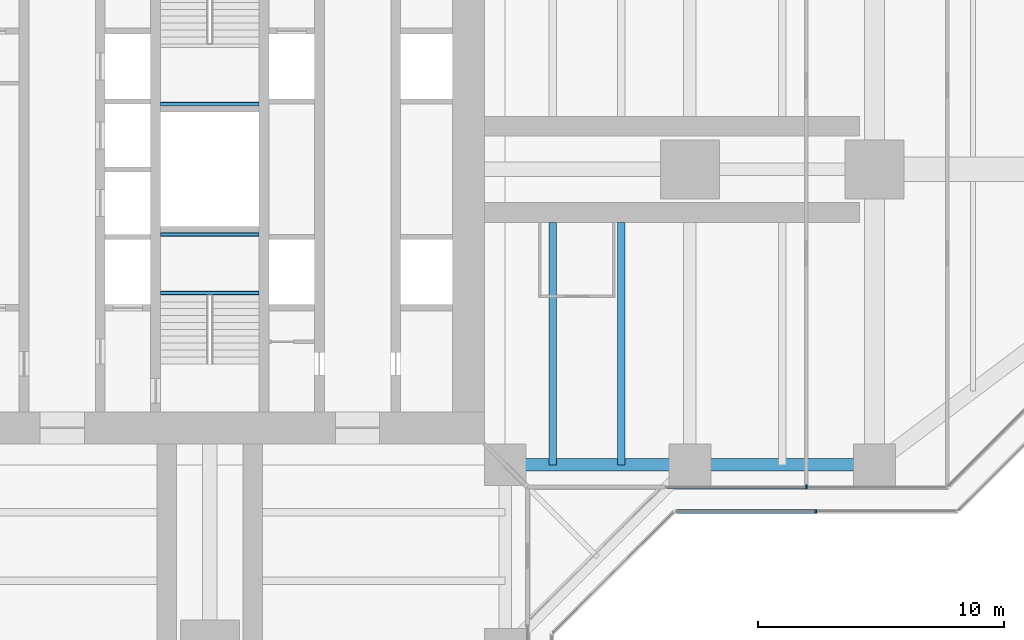
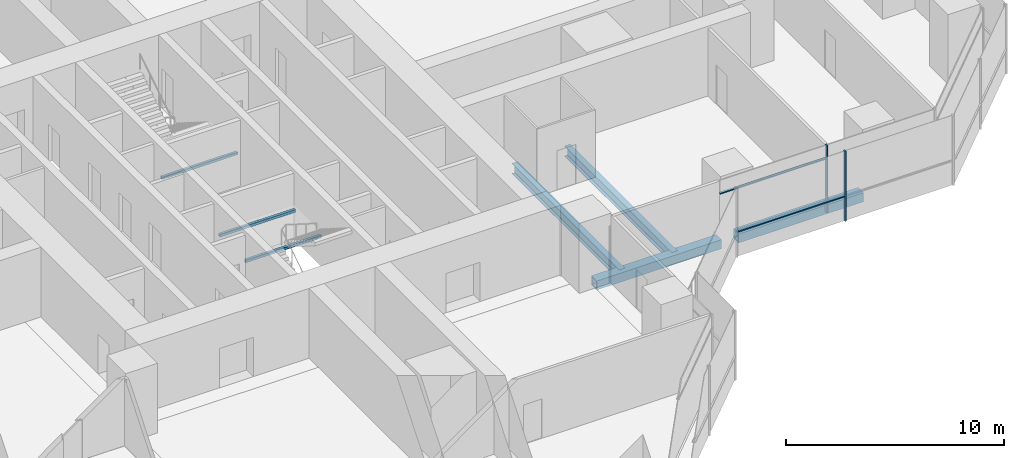
# One storey, part 5 of 20: 7 beams, 4 members, 2 elements without a shape of their own.
"""IFC4 building model written with IfcOpenShell, lengths in metres."""

from ifc_helpers import new_model, si_unit, direction, frame, origin, origin_2d, place, context, subcontext, project, spatial, rectangle, hollow_rectangle, i_section, extrude, material, material_profile, profile_set, type_object, element, aggregate, save


model = new_model("IFC4")

# Units and contexts
model_context = context("Model", 3, precision=1e-05, world=origin(), true_north=direction((0.0, 1.0)))
body_context = subcontext(model_context, "Body", "Model", "MODEL_VIEW")
ifc_project = project(units=[si_unit("LENGTHUNIT", "METRE"), si_unit("AREAUNIT", "SQUARE_METRE"), si_unit("VOLUMEUNIT", "CUBIC_METRE"), si_unit("PLANEANGLEUNIT", "RADIAN"), si_unit("MASSUNIT", "GRAM", prefix="KILO")], contexts=[model_context])

# Site, building, storey
site_placement = place(None, origin())
site = spatial("IfcSite", under=ifc_project, at=site_placement, CompositionType="ELEMENT")
building_placement = place(site_placement, origin())
building = spatial("IfcBuilding", under=site, at=building_placement, Name="Mizan Broadcast Tower", CompositionType="ELEMENT")
storey_placement = place(building_placement, frame((0.0, 0.0, 174.89990234375)))
storey = spatial("IfcBuildingStorey", under=building, at=storey_placement, Name="L40", CompositionType="ELEMENT", Elevation=174.89990234375)

# Beams
ifc_material_1 = material(Name="Steel S355", Category="steel")
ifc_material_profile_1 = material_profile(ifc_material_1, hollow_rectangle(XDim=0.5, YDim=0.5, WallThickness=0.030029296875, at=origin_2d()), Name="BOX 500x500x30")
ifc_profile_set_1 = profile_set([ifc_material_profile_1], Name="Steel S355")
beam_type_1 = type_object("IfcBeamType", Name="EDGE BEAM BOX 500x500x30", PredefinedType="SPANDREL", material=ifc_profile_set_1)
for number, where, z_axis, x_axis, name in (
    (1, (12.449951171875, -12.0, -0.3798828125), (1.0, 0.0, 0.0), (0.0, 1.0, 0.0), "Edge beam BOX 500x500x30 L40 east arm"),
    (2, (19.949951171875, -12.0, -0.3798828125), (1.0, 0.0, 0.0), (0.0, 1.0, 0.0), "Edge beam BOX 500x500x30 L40 east arm"),
):
    element("IfcBeam", number, at=place(storey_placement, frame(where, z_axis=z_axis, x_axis=x_axis)), inside=storey, type_object=beam_type_1, Name=name, PredefinedType="SPANDREL", context=body_context, shape_type="SweptSolid", body=[
        extrude(hollow_rectangle(XDim=0.5, YDim=0.5, WallThickness=0.030029296875, at=origin_2d()), origin(), (0.0, 0.0, 1.0), 6.60009765625),
    ])

# Curtain wall, members
ifc_material_2 = material(Name="Aluminium framed glazing", Category="aluminium")
curtain_wall_type_1 = type_object("IfcCurtainWallType", Name="INNER SKIN MID ZONE", PredefinedType="USERDEFINED", material=ifc_material_2)
curtain_wall_1_placement = place(storey_placement, origin())
curtain_wall_1 = element("IfcCurtainWall", 3, at=curtain_wall_1_placement, inside=storey, type_object=curtain_wall_type_1, Name="Inner skin mid zone L40 E side", ObjectType="INNER SKIN MID ZONE", PredefinedType="USERDEFINED")
ifc_material_3 = material(Name="Aluminium, pale anodised", Category="aluminium")
ifc_material_profile_2 = material_profile(ifc_material_3, rectangle(XDim=0.159912109375, YDim=0.06005859375, at=origin_2d()), Name="MULLION 160x60")
ifc_profile_set_2 = profile_set([ifc_material_profile_2], Name="Aluminium, pale anodised")
member_type_1 = type_object("IfcMemberType", Name="INNER SKIN MULLION 60x160", PredefinedType="MULLION", material=ifc_profile_set_2)
member_1_placement = place(storey_placement, frame((24.229248046875, -12.89990234375, 0.0), z_axis=(0.0, 0.0, 1.0), x_axis=(0.0, 1.0, 0.0)))
member_1 = element("IfcMember", 4, at=member_1_placement, type_object=member_type_1, Name="Inner skin mid zone L40 E side mullion 2", PredefinedType="MULLION", context=body_context, shape_type="SweptSolid", body=[
    extrude(rectangle(XDim=0.159912109375, YDim=0.06005859375, at=origin_2d()), origin(), (0.0, 0.0, 1.0), 3.77001953125),
])
ifc_material_4 = material(Name="Aluminium, pale anodised", Category="aluminium")
ifc_material_profile_3 = material_profile(ifc_material_4, rectangle(XDim=0.1201171875, YDim=0.06005859375, at=origin_2d()), Name="TRANSOM 120x60")
ifc_profile_set_3 = profile_set([ifc_material_profile_3], Name="Aluminium, pale anodised")
member_type_2 = type_object("IfcMemberType", Name="INNER SKIN TRANSOM 60x120", PredefinedType="USERDEFINED", material=ifc_profile_set_3)
member_2_placement = place(storey_placement, frame((18.56005859375, -12.89990234375, 3.030029296875), z_axis=(1.0, 0.0, 0.0), x_axis=(0.0, 1.0, 0.0)))
member_2 = element("IfcMember", 5, at=member_2_placement, type_object=member_type_2, Name="Inner skin mid zone L40 E side transom 1.1", ObjectType="TRANSOM", PredefinedType="USERDEFINED", context=body_context, shape_type="SweptSolid", body=[
    extrude(rectangle(XDim=0.1201171875, YDim=0.06005859375, at=origin_2d()), origin(), (0.0, 0.0, 1.0), 5.63916015625),
])
aggregate(curtain_wall_1, [member_1, member_2])

# Beams
ifc_material_5 = material(Name="Steel S355", Category="steel")
ifc_material_profile_4 = material_profile(ifc_material_5, hollow_rectangle(XDim=0.14990234375, YDim=0.14990234375, WallThickness=0.008056640625, InnerFilletRadius=0.008056640625, OuterFilletRadius=0.011962890625, at=origin_2d()), Name="SHS 150x150x8")
ifc_profile_set_4 = profile_set([ifc_material_profile_4], Name="Steel S355")
beam_type_2 = type_object("IfcBeamType", Name="LANDING TRIMMER SHS 150x150x8", PredefinedType="BEAM", material=ifc_profile_set_4)
for number, where, z_axis, x_axis, name in (
    (6, (-2.0, -5.02490234375, 1.675048828125), (1.0, 0.0, 0.0), (0.0, 1.0, 0.0), "Stair A landing trimmer L40"),
    (7, (-2.0, -2.64990234375, 1.675048828125), (1.0, 0.0, 0.0), (0.0, 1.0, 0.0), "Stair A landing trimmer L40"),
    (8, (2.0, 2.64990234375, 1.675048828125), (-1.0, 0.0, 0.0), (0.0, -1.0, 0.0), "Stair B landing trimmer L40"),
):
    element("IfcBeam", number, at=place(storey_placement, frame(where, z_axis=z_axis, x_axis=x_axis)), inside=storey, type_object=beam_type_2, Name=name, PredefinedType="BEAM", context=body_context, shape_type="SweptSolid", body=[
        extrude(hollow_rectangle(XDim=0.14990234375, YDim=0.14990234375, WallThickness=0.008056640625, InnerFilletRadius=0.008056640625, OuterFilletRadius=0.011962890625, at=origin_2d()), origin(), (0.0, 0.0, 1.0), 4.0),
    ])

# Curtain wall, members
ifc_material_6 = material(Name="Aluminium framed glazing", Category="aluminium")
curtain_wall_type_2 = type_object("IfcCurtainWallType", Name="OUTER SKIN", PredefinedType="USERDEFINED", material=ifc_material_6)
curtain_wall_2_placement = place(storey_placement, origin())
curtain_wall_2 = element("IfcCurtainWall", 9, at=curtain_wall_2_placement, inside=storey, type_object=curtain_wall_type_2, Name="Outer skin L40 E side", ObjectType="OUTER SKIN", PredefinedType="USERDEFINED")
ifc_material_7 = material(Name="Aluminium, pale anodised", Category="aluminium")
ifc_material_profile_5 = material_profile(ifc_material_7, rectangle(XDim=0.159912109375, YDim=0.080078125, at=origin_2d()), Name="MULLION 160x80")
ifc_profile_set_5 = profile_set([ifc_material_profile_5], Name="Aluminium, pale anodised")
member_type_3 = type_object("IfcMemberType", Name="OUTER SKIN MULLION 80x160", PredefinedType="MULLION", material=ifc_profile_set_5)
member_3_placement = place(storey_placement, frame((24.622802734375, -13.89990234375, 0.0), z_axis=(0.0, 0.0, 1.0), x_axis=(0.0, 1.0, 0.0)))
member_3 = element("IfcMember", 10, at=member_3_placement, type_object=member_type_3, Name="Outer skin L40 E side mullion 2", PredefinedType="MULLION", context=body_context, shape_type="SweptSolid", body=[
    extrude(rectangle(XDim=0.159912109375, YDim=0.080078125, at=origin_2d()), origin(), (0.0, 0.0, 1.0), 3.900146484375),
])
ifc_material_8 = material(Name="Aluminium, pale anodised", Category="aluminium")
ifc_material_profile_6 = material_profile(ifc_material_8, rectangle(XDim=0.159912109375, YDim=0.06005859375, at=origin_2d()), Name="TRANSOM 160x60")
ifc_profile_set_6 = profile_set([ifc_material_profile_6], Name="Aluminium, pale anodised")
member_type_4 = type_object("IfcMemberType", Name="OUTER SKIN TRANSOM 60x160", PredefinedType="USERDEFINED", material=ifc_profile_set_6)
member_4_placement = place(storey_placement, frame((18.952880859375, -13.89990234375, 1.400146484375), z_axis=(1.0, 0.0, 0.0), x_axis=(0.0, 1.0, 0.0)))
member_4 = element("IfcMember", 11, at=member_4_placement, type_object=member_type_4, Name="Outer skin L40 E side transom 1.1", ObjectType="TRANSOM", PredefinedType="USERDEFINED", context=body_context, shape_type="SweptSolid", body=[
    extrude(rectangle(XDim=0.159912109375, YDim=0.06005859375, at=origin_2d()), origin(), (0.0, 0.0, 1.0), 5.6298828125),
])
aggregate(curtain_wall_2, [member_3, member_4])

# Beams
ifc_material_9 = material(Name="Steel S355", Category="steel")
ifc_material_profile_7 = material_profile(ifc_material_9, i_section(OverallWidth=0.300048828125, OverallDepth=0.590087890625, WebThickness=0.012939453125, FlangeThickness=0.02490234375, FilletRadius=0.027099609375, at=origin_2d()), Name="HEA 600")
ifc_profile_set_7 = profile_set([ifc_material_profile_7], Name="Steel S355")
beam_type_3 = type_object("IfcBeamType", Name="SECONDARY BEAM HEA 600", PredefinedType="JOIST", material=ifc_profile_set_7)
for number, where, z_axis, x_axis, name in (
    (12, (13.933349609375, -12.0, -0.4248046875), (0.0, 1.0, 0.0), (-1.0, 0.0, 0.0), "Secondary beam HEA 600 L40 east arm"),
    (13, (16.716552734375, -12.0, -0.4248046875), (0.0, 1.0, 0.0), (-1.0, 0.0, 0.0), "Secondary beam HEA 600 L40 east arm"),
):
    element("IfcBeam", number, at=place(storey_placement, frame(where, z_axis=z_axis, x_axis=x_axis)), inside=storey, type_object=beam_type_3, Name=name, PredefinedType="JOIST", context=body_context, shape_type="SweptSolid", body=[
        extrude(i_section(OverallWidth=0.300048828125, OverallDepth=0.590087890625, WebThickness=0.012939453125, FlangeThickness=0.02490234375, FilletRadius=0.027099609375, at=origin_2d()), origin(), (0.0, 0.0, 1.0), 9.85009765625),
    ])

save(model, "model.ifc")
